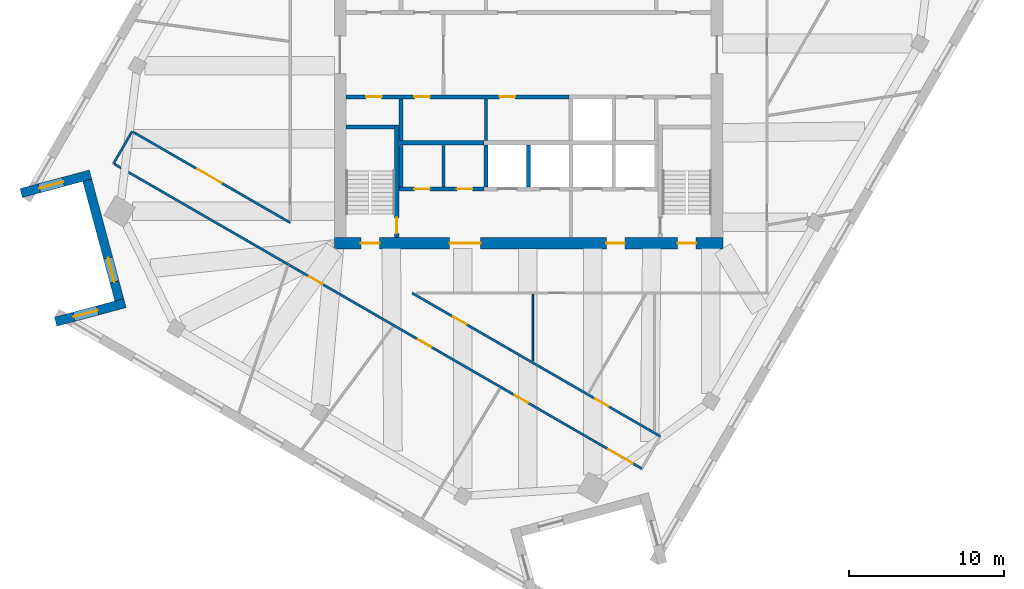
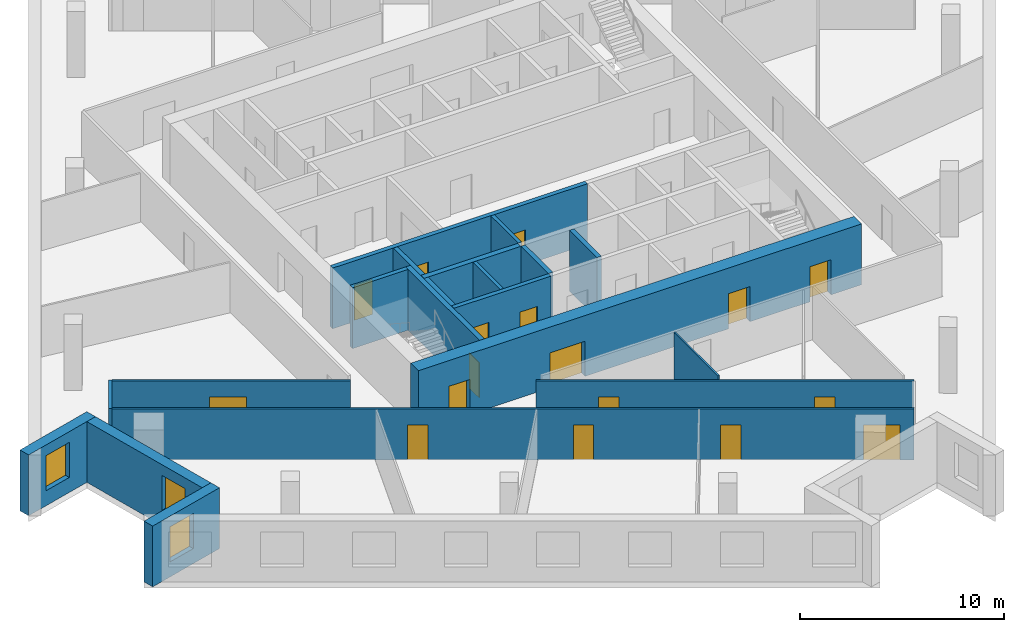
# One storey, part 6 of 13: 20 walls, 17 doors, 3 windows, 20 openings.
"""IFC4 building model written with IfcOpenShell, lengths in metres."""

from ifc_helpers import new_model, si_unit, direction, frame, frame_2d, origin, place, context, subcontext, project, spatial, rectangle, extrude, material, layer, layer_set, type_object, element, fill, save


model = new_model("IFC4")

# Units and contexts
model_context = context("Model", 3, precision=1e-05, world=origin(), true_north=direction((0.0, 1.0)))
body_context = subcontext(model_context, "Body", "Model", "MODEL_VIEW")
ifc_project = project(units=[si_unit("LENGTHUNIT", "METRE"), si_unit("AREAUNIT", "SQUARE_METRE"), si_unit("VOLUMEUNIT", "CUBIC_METRE"), si_unit("PLANEANGLEUNIT", "RADIAN"), si_unit("MASSUNIT", "GRAM", prefix="KILO")], contexts=[model_context])

# Site, building, storey
site_placement = place(None, origin())
site = spatial("IfcSite", under=ifc_project, at=site_placement, CompositionType="ELEMENT")
building_placement = place(site_placement, origin())
building = spatial("IfcBuilding", under=site, at=building_placement, Name="Dilmun Exchange Tower", CompositionType="ELEMENT")
storey_placement = place(building_placement, frame((0.0, 0.0, 266.89990234375)))
storey = spatial("IfcBuildingStorey", under=building, at=storey_placement, Name="L63", CompositionType="ELEMENT", Elevation=266.89990234375)

# Walls
ifc_material_1 = material(Name="Concrete C40/50", Category="concrete")
ifc_layer_1 = layer(ifc_material_1, 0.199951171875)
ifc_layer_set_1 = layer_set([ifc_layer_1], Name="Concrete C40/50")
wall_type_1 = type_object("IfcWallType", Name="Core partition wall 200", PredefinedType="PARTITIONING", material=ifc_layer_set_1)
for number, where, z_axis, x_axis, name in (
    (1, (-5.5, -8.544921875, 0.0), (0.0, 0.0, 1.0), (0.0, 1.0, 0.0), "L63 core partition wall 04"),
    (2, (-2.75, -5.544921875, 0.0), (0.0, 0.0, 1.0), (0.0, 1.0, 0.0), "L63 core partition wall 07"),
):
    element("IfcWall", number, at=place(storey_placement, frame(where, z_axis=z_axis, x_axis=x_axis)), inside=storey, type_object=wall_type_1, Name=name, PredefinedType="PARTITIONING", context=body_context, shape_type="SweptSolid", body=[
        extrude(rectangle(XDim=2.68994140625, YDim=0.199951171875, at=frame_2d((1.344970703125, 0.0))), origin(), (0.0, 0.0, 1.0), 3.64013671875),
    ])

# Wall, openings, doors
ifc_layer_2 = layer(ifc_material_1, 0.25)
ifc_layer_set_2 = layer_set([ifc_layer_2], Name="Concrete C40/50")
wall_type_2 = type_object("IfcWallType", Name="Core partition wall 250", PredefinedType="PARTITIONING", material=ifc_layer_set_2)
wall_1_placement = place(storey_placement, frame((-8.3701171875, -8.675048828125, 0.0), z_axis=(0.0, 0.0, 1.0), x_axis=(1.0, 0.0, 0.0)))
wall_1 = element("IfcWall", 3, at=wall_1_placement, inside=storey, type_object=wall_type_2, Name="L63 core partition wall 02", PredefinedType="PARTITIONING", context=body_context, shape_type="SweptSolid", body=[
    extrude(rectangle(XDim=5.490234375, YDim=0.25, at=frame_2d((2.7451171875, 0.0))), origin(), (0.0, 0.0, 1.0), 3.64013671875),
])
opening_1_placement = place(wall_1_placement, frame((0.9951171875, 0.0, 0.0)))
opening_1 = element("IfcOpeningElement", 4, at=opening_1_placement, cuts=wall_1, Name="Opening CD4", PredefinedType="OPENING", context=body_context, shape_type="SweptSolid", body=[
    extrude(rectangle(XDim=1.0, YDim=2.10009765625, at=frame_2d((0.5, 1.050048828125))), frame((0.0, 0.135009765625, 0.0), z_axis=(0.0, -1.0, 0.0), x_axis=(1.0, 0.0, 0.0)), (0.0, 0.0, 1.0), 0.27001953125),
])
opening_2_placement = place(wall_1_placement, frame((3.7451171875, 0.0, 0.0)))
opening_2 = element("IfcOpeningElement", 5, at=opening_2_placement, cuts=wall_1, Name="Opening CD4", PredefinedType="OPENING", context=body_context, shape_type="SweptSolid", body=[
    extrude(rectangle(XDim=1.0, YDim=2.10009765625, at=frame_2d((0.5, 1.050048828125))), frame((0.0, 0.135009765625, 0.0), z_axis=(0.0, -1.0, 0.0), x_axis=(1.0, 0.0, 0.0)), (0.0, 0.0, 1.0), 0.27001953125),
])
ifc_material_2 = material(Name="Fire-rated steel door set", Category="steel")
door_type_1 = type_object("IfcDoorType", Name="Core room door 1000x2100", OperationType="SINGLE_SWING_LEFT", PredefinedType="DOOR", material=ifc_material_2)
door_1_placement = place(opening_1_placement, origin())
door_1 = element("IfcDoor", 6, at=door_1_placement, inside=storey, type_object=door_type_1, Name="L63 door Male WC", OperationType="SINGLE_SWING_RIGHT", OverallHeight=2.10009765625, OverallWidth=1.0, PredefinedType="DOOR", context=body_context, shape_type="SweptSolid", body=[
    extrude(rectangle(XDim=1.0, YDim=2.10009765625, at=frame_2d((0.5, 1.050048828125))), frame((0.0, 0.02490234375, 0.0), z_axis=(0.0, -1.0, 0.0), x_axis=(1.0, 0.0, 0.0)), (0.0, 0.0, 1.0), 0.050048828125),
])
fill(opening_1, door_1)
door_2_placement = place(opening_2_placement, origin())
door_2 = element("IfcDoor", 7, at=door_2_placement, inside=storey, type_object=door_type_1, Name="L63 door Female WC", OperationType="SINGLE_SWING_RIGHT", OverallHeight=2.10009765625, OverallWidth=1.0, PredefinedType="DOOR", context=body_context, shape_type="SweptSolid", body=[
    extrude(rectangle(XDim=1.0, YDim=2.10009765625, at=frame_2d((0.5, 1.050048828125))), frame((0.0, 0.02490234375, 0.0), z_axis=(0.0, -1.0, 0.0), x_axis=(1.0, 0.0, 0.0)), (0.0, 0.0, 1.0), 0.050048828125),
])
fill(opening_2, door_2)

# Walls
for number, where, z_axis, x_axis, name in (
    (8, (-8.25, -8.544921875, 0.0), (0.0, 0.0, 1.0), (0.0, 1.0, 0.0), "L63 core partition wall 03"),
    (9, (-8.25, -5.544921875, 0.0), (0.0, 0.0, 1.0), (0.0, 1.0, 0.0), "L63 core partition wall 06"),
):
    element("IfcWall", number, at=place(storey_placement, frame(where, z_axis=z_axis, x_axis=x_axis)), inside=storey, type_object=wall_type_2, Name=name, PredefinedType="PARTITIONING", context=body_context, shape_type="SweptSolid", body=[
        extrude(rectangle(XDim=2.68994140625, YDim=0.25, at=frame_2d((1.344970703125, 0.0))), origin(), (0.0, 0.0, 1.0), 3.64013671875),
    ])

# Wall, openings, doors
wall_2_placement = place(storey_placement, frame((-11.794921875, -2.72509765625, 0.0), z_axis=(0.0, 0.0, 1.0), x_axis=(1.0, 0.0, 0.0)))
wall_2 = element("IfcWall", 10, at=wall_2_placement, inside=storey, type_object=wall_type_2, Name="L63 core partition wall 09", PredefinedType="PARTITIONING", context=body_context, shape_type="SweptSolid", body=[
    extrude(rectangle(XDim=14.4150390625, YDim=0.25, at=frame_2d((7.20751953125, 0.0))), origin(), (0.0, 0.0, 1.0), 3.64013671875),
])
opening_3_placement = place(wall_2_placement, frame((1.294921875, 0.0, 0.0)))
opening_3 = element("IfcOpeningElement", 11, at=opening_3_placement, cuts=wall_2, Name="Opening CD4", PredefinedType="OPENING", context=body_context, shape_type="SweptSolid", body=[
    extrude(rectangle(XDim=1.0, YDim=2.10009765625, at=frame_2d((0.5, 1.050048828125))), frame((0.0, 0.135009765625, 0.0), z_axis=(0.0, -1.0, 0.0), x_axis=(1.0, 0.0, 0.0)), (0.0, 0.0, 1.0), 0.27001953125),
])
opening_4_placement = place(wall_2_placement, frame((4.419921875, 0.0, 0.0)))
opening_4 = element("IfcOpeningElement", 12, at=opening_4_placement, cuts=wall_2, Name="Opening CD4", PredefinedType="OPENING", context=body_context, shape_type="SweptSolid", body=[
    extrude(rectangle(XDim=1.0, YDim=2.10009765625, at=frame_2d((0.5, 1.050048828125))), frame((0.0, 0.135009765625, 0.0), z_axis=(0.0, -1.0, 0.0), x_axis=(1.0, 0.0, 0.0)), (0.0, 0.0, 1.0), 0.27001953125),
])
opening_5_placement = place(wall_2_placement, frame((9.919921875, 0.0, 0.0)))
opening_5 = element("IfcOpeningElement", 13, at=opening_5_placement, cuts=wall_2, Name="Opening CD4", PredefinedType="OPENING", context=body_context, shape_type="SweptSolid", body=[
    extrude(rectangle(XDim=1.0, YDim=2.10009765625, at=frame_2d((0.5, 1.050048828125))), frame((0.0, 0.135009765625, 0.0), z_axis=(0.0, -1.0, 0.0), x_axis=(1.0, 0.0, 0.0)), (0.0, 0.0, 1.0), 0.27001953125),
])
door_3_placement = place(opening_3_placement, origin())
door_3 = element("IfcDoor", 14, at=door_3_placement, inside=storey, type_object=door_type_1, Name="L63 door Accessible WC", OperationType="SINGLE_SWING_RIGHT", OverallHeight=2.10009765625, OverallWidth=1.0, PredefinedType="DOOR", context=body_context, shape_type="SweptSolid", body=[
    extrude(rectangle(XDim=1.0, YDim=2.10009765625, at=frame_2d((0.5, 1.050048828125))), frame((0.0, 0.02490234375, 0.0), z_axis=(0.0, -1.0, 0.0), x_axis=(1.0, 0.0, 0.0)), (0.0, 0.0, 1.0), 0.050048828125),
])
fill(opening_3, door_3)
door_4_placement = place(opening_4_placement, origin())
door_4 = element("IfcDoor", 15, at=door_4_placement, inside=storey, type_object=door_type_1, Name="L63 door Tenant services room", OperationType="SINGLE_SWING_RIGHT", OverallHeight=2.10009765625, OverallWidth=1.0, PredefinedType="DOOR", context=body_context, shape_type="SweptSolid", body=[
    extrude(rectangle(XDim=1.0, YDim=2.10009765625, at=frame_2d((0.5, 1.050048828125))), frame((0.0, 0.02490234375, 0.0), z_axis=(0.0, -1.0, 0.0), x_axis=(1.0, 0.0, 0.0)), (0.0, 0.0, 1.0), 0.050048828125),
])
fill(opening_4, door_4)
door_5_placement = place(opening_5_placement, origin())
door_5 = element("IfcDoor", 16, at=door_5_placement, inside=storey, type_object=door_type_1, Name="L63 door Archive store", OperationType="SINGLE_SWING_RIGHT", OverallHeight=2.10009765625, OverallWidth=1.0, PredefinedType="DOOR", context=body_context, shape_type="SweptSolid", body=[
    extrude(rectangle(XDim=1.0, YDim=2.10009765625, at=frame_2d((0.5, 1.050048828125))), frame((0.0, 0.02490234375, 0.0), z_axis=(0.0, -1.0, 0.0), x_axis=(1.0, 0.0, 0.0)), (0.0, 0.0, 1.0), 0.050048828125),
])
fill(opening_5, door_5)

# Wall
ifc_layer_3 = layer(ifc_material_1, 0.300048828125)
ifc_layer_set_3 = layer_set([ifc_layer_3], Name="Concrete C40/50")
wall_type_3 = type_object("IfcWallType", Name="Core partition wall 300", PredefinedType="PARTITIONING", material=ifc_layer_set_3)
wall_3_placement = place(storey_placement, frame((-8.35009765625, -5.699951171875, 0.0), z_axis=(0.0, 0.0, 1.0), x_axis=(1.0, 0.0, 0.0)))
element("IfcWall", 17, at=wall_3_placement, inside=storey, type_object=wall_type_3, Name="L63 core partition wall 05", PredefinedType="PARTITIONING", context=body_context, shape_type="SweptSolid", body=[
    extrude(rectangle(XDim=5.47021484375, YDim=0.300048828125, at=frame_2d((2.735107421875, 0.0))), origin(), (0.0, 0.0, 1.0), 3.64013671875),
])

# Wall, openings, doors
ifc_material_3 = material(Name="Concrete C50/60", Category="concrete")
ifc_layer_4 = layer(ifc_material_3, 0.75)
ifc_layer_set_4 = layer_set([ifc_layer_4], Name="Concrete C50/60")
wall_type_4 = type_object("IfcWallType", Name="Core shear wall 750 Concrete C50/60", PredefinedType="SHEAR", material=ifc_layer_set_4)
wall_4_placement = place(storey_placement, frame((-12.550048828125, -12.175048828125, 0.0), z_axis=(0.0, 0.0, 1.0), x_axis=(1.0, 0.0, 0.0)))
wall_4 = element("IfcWall", 18, at=wall_4_placement, inside=storey, type_object=wall_type_4, Name="L63 core shear wall S", PredefinedType="SHEAR", context=body_context, shape_type="SweptSolid", body=[
    extrude(rectangle(XDim=25.10009765625, YDim=0.75, at=frame_2d((12.550048828125, 0.0))), origin(), (0.0, 0.0, 1.0), 3.64013671875),
])
opening_6_placement = place(wall_4_placement, frame((7.449951171875, 0.0, 0.0)))
opening_6 = element("IfcOpeningElement", 19, at=opening_6_placement, cuts=wall_4, Name="Opening CD2", PredefinedType="OPENING", context=body_context, shape_type="SweptSolid", body=[
    extrude(rectangle(XDim=2.0, YDim=2.10009765625, at=frame_2d((1.0, 1.050048828125))), frame((0.0, 0.385009765625, 0.0), z_axis=(0.0, -1.0, 0.0), x_axis=(1.0, 0.0, 0.0)), (0.0, 0.0, 1.0), 0.77001953125),
])
opening_7_placement = place(wall_4_placement, frame((17.574951171875, 0.0, 0.0)))
opening_7 = element("IfcOpeningElement", 20, at=opening_7_placement, cuts=wall_4, Name="Opening CD3", PredefinedType="OPENING", context=body_context, shape_type="SweptSolid", body=[
    extrude(rectangle(XDim=1.199951171875, YDim=2.10009765625, at=frame_2d((0.60009765625, 1.050048828125))), frame((0.0, 0.385009765625, 0.0), z_axis=(0.0, -1.0, 0.0), x_axis=(1.0, 0.0, 0.0)), (0.0, 0.0, 1.0), 0.77001953125),
])
opening_8_placement = place(wall_4_placement, frame((1.72509765625, 0.0, 0.0)))
opening_8 = element("IfcOpeningElement", 21, at=opening_8_placement, cuts=wall_4, Name="Opening CD3", PredefinedType="OPENING", context=body_context, shape_type="SweptSolid", body=[
    extrude(rectangle(XDim=1.199951171875, YDim=2.10009765625, at=frame_2d((0.60009765625, 1.050048828125))), frame((0.0, 0.385009765625, 0.0), z_axis=(0.0, -1.0, 0.0), x_axis=(1.0, 0.0, 0.0)), (0.0, 0.0, 1.0), 0.77001953125),
])
opening_9_placement = place(wall_4_placement, frame((22.175048828125, 0.0, 0.0)))
opening_9 = element("IfcOpeningElement", 22, at=opening_9_placement, cuts=wall_4, Name="Opening CD3", PredefinedType="OPENING", context=body_context, shape_type="SweptSolid", body=[
    extrude(rectangle(XDim=1.199951171875, YDim=2.10009765625, at=frame_2d((0.60009765625, 1.050048828125))), frame((0.0, 0.385009765625, 0.0), z_axis=(0.0, -1.0, 0.0), x_axis=(1.0, 0.0, 0.0)), (0.0, 0.0, 1.0), 0.77001953125),
])
door_type_2 = type_object("IfcDoorType", Name="Core service door 2000x2100", OperationType="DOUBLE_DOOR_DOUBLE_SWING", PredefinedType="DOOR", material=ifc_material_2)
door_6_placement = place(opening_6_placement, origin())
door_6 = element("IfcDoor", 23, at=door_6_placement, inside=storey, type_object=door_type_2, Name="L63 door South service lobby", OperationType="SINGLE_SWING_LEFT", OverallHeight=2.10009765625, OverallWidth=2.0, PredefinedType="DOOR", context=body_context, shape_type="SweptSolid", body=[
    extrude(rectangle(XDim=2.0, YDim=2.10009765625, at=frame_2d((1.0, 1.050048828125))), frame((0.0, 0.02490234375, 0.0), z_axis=(0.0, -1.0, 0.0), x_axis=(1.0, 0.0, 0.0)), (0.0, 0.0, 1.0), 0.050048828125),
])
fill(opening_6, door_6)
door_type_3 = type_object("IfcDoorType", Name="Stair exit door 1200x2100", OperationType="SINGLE_SWING_LEFT", PredefinedType="DOOR", material=ifc_material_2)
door_7_placement = place(opening_7_placement, origin())
door_7 = element("IfcDoor", 24, at=door_7_placement, inside=storey, type_object=door_type_3, Name="L63 door Fire-fighting lobby", OperationType="SINGLE_SWING_LEFT", OverallHeight=2.10009765625, OverallWidth=1.199951171875, PredefinedType="DOOR", context=body_context, shape_type="SweptSolid", body=[
    extrude(rectangle(XDim=1.199951171875, YDim=2.10009765625, at=frame_2d((0.60009765625, 1.050048828125))), frame((0.0, 0.02490234375, 0.0), z_axis=(0.0, -1.0, 0.0), x_axis=(1.0, 0.0, 0.0)), (0.0, 0.0, 1.0), 0.050048828125),
])
fill(opening_7, door_7)
door_8_placement = place(opening_8_placement, origin())
door_8 = element("IfcDoor", 25, at=door_8_placement, inside=storey, type_object=door_type_3, Name="L63 door Stair ST2", OperationType="SINGLE_SWING_LEFT", OverallHeight=2.10009765625, OverallWidth=1.199951171875, PredefinedType="DOOR", context=body_context, shape_type="SweptSolid", body=[
    extrude(rectangle(XDim=1.199951171875, YDim=2.10009765625, at=frame_2d((0.60009765625, 1.050048828125))), frame((0.0, 0.02490234375, 0.0), z_axis=(0.0, -1.0, 0.0), x_axis=(1.0, 0.0, 0.0)), (0.0, 0.0, 1.0), 0.050048828125),
])
fill(opening_8, door_8)
door_9_placement = place(opening_9_placement, origin())
door_9 = element("IfcDoor", 26, at=door_9_placement, inside=storey, type_object=door_type_3, Name="L63 door Stair ST3", OperationType="SINGLE_SWING_LEFT", OverallHeight=2.10009765625, OverallWidth=1.199951171875, PredefinedType="DOOR", context=body_context, shape_type="SweptSolid", body=[
    extrude(rectangle(XDim=1.199951171875, YDim=2.10009765625, at=frame_2d((0.60009765625, 1.050048828125))), frame((0.0, 0.02490234375, 0.0), z_axis=(0.0, -1.0, 0.0), x_axis=(1.0, 0.0, 0.0)), (0.0, 0.0, 1.0), 0.050048828125),
])
fill(opening_9, door_9)

# Wall
ifc_material_4 = material(Name="Corridor wall 150")
ifc_layer_5 = layer(ifc_material_4, 0.14990234375)
ifc_layer_set_5 = layer_set([ifc_layer_5], Name="Corridor wall 150")
wall_type_5 = type_object("IfcWallType", Name="Corridor wall 150", PredefinedType="PARTITIONING", material=ifc_layer_set_5)
wall_5_placement = place(storey_placement, frame((-26.80908203125, -7.034912109375, 0.0), z_axis=(0.0, 0.0, 1.0), x_axis=(0.499989508258, 0.86603146111, 0.0)))
element("IfcWall", 27, at=wall_5_placement, inside=storey, type_object=wall_type_5, Name="Corridor wall", PredefinedType="PARTITIONING", context=body_context, shape_type="SweptSolid", body=[
    extrude(rectangle(XDim=2.400390625, YDim=0.14990234375, at=frame_2d((1.2001953125, 0.0))), origin(), (0.0, 0.0, 1.0), 3.0400390625),
])

# Wall, openings, doors
wall_6_placement = place(storey_placement, frame((-26.743896484375, -7.072509765625, 0.0), z_axis=(0.0, 0.0, 1.0), x_axis=(0.866020890374, -0.500007817374, 0.0)))
wall_6 = element("IfcWall", 28, at=wall_6_placement, inside=storey, type_object=wall_type_5, Name="Corridor wall", PredefinedType="PARTITIONING", context=body_context, shape_type="SweptSolid", body=[
    extrude(rectangle(XDim=39.324462890625, YDim=0.14990234375, at=frame_2d((19.662109375, 0.0))), origin(), (0.0, 0.0, 1.0), 3.0400390625),
])
opening_10_placement = place(wall_6_placement, frame((14.504638671875, 0.0, 0.0)))
opening_10 = element("IfcOpeningElement", 29, at=opening_10_placement, cuts=wall_6, Name="Opening TF62-D04", PredefinedType="OPENING", context=body_context, shape_type="SweptSolid", body=[
    extrude(rectangle(XDim=1.0, YDim=2.10009765625, at=frame_2d((0.5, 1.050048828125))), frame((0.0, 0.0849609375, 0.0), z_axis=(0.0, -1.0, 0.0), x_axis=(1.0, 0.0, 0.0)), (0.0, 0.0, 1.0), 0.169921875),
])
opening_11_placement = place(wall_6_placement, frame((22.63232421875, 0.0, 0.0)))
opening_11 = element("IfcOpeningElement", 30, at=opening_11_placement, cuts=wall_6, Name="Opening TF62-D05", PredefinedType="OPENING", context=body_context, shape_type="SweptSolid", body=[
    extrude(rectangle(XDim=1.0, YDim=2.10009765625, at=frame_2d((0.5, 1.050048828125))), frame((0.0, 0.0849609375, 0.0), z_axis=(0.0, -1.0, 0.0), x_axis=(1.0, 0.0, 0.0)), (0.0, 0.0, 1.0), 0.169921875),
])
opening_12_placement = place(wall_6_placement, frame((36.8515625, 0.0, 0.0)))
opening_12 = element("IfcOpeningElement", 31, at=opening_12_placement, cuts=wall_6, Name="Opening TF62-D14", PredefinedType="OPENING", context=body_context, shape_type="SweptSolid", body=[
    extrude(rectangle(XDim=1.800048828125, YDim=2.10009765625, at=frame_2d((0.89990234375, 1.050048828125))), frame((0.0, 0.0849609375, 0.0), z_axis=(0.0, -1.0, 0.0), x_axis=(1.0, 0.0, 0.0)), (0.0, 0.0, 1.0), 0.169921875),
])
opening_13_placement = place(wall_6_placement, frame((29.8515625, 0.0, 0.0)))
opening_13 = element("IfcOpeningElement", 32, at=opening_13_placement, cuts=wall_6, Name="Opening TF62-D15", PredefinedType="OPENING", context=body_context, shape_type="SweptSolid", body=[
    extrude(rectangle(XDim=1.0, YDim=2.10009765625, at=frame_2d((0.5, 1.050048828125))), frame((0.0, 0.0849609375, 0.0), z_axis=(0.0, -1.0, 0.0), x_axis=(1.0, 0.0, 0.0)), (0.0, 0.0, 1.0), 0.169921875),
])
ifc_material_5 = material(Name="Fire door 1000 x 2100")
door_type_4 = type_object("IfcDoorType", Name="Fire door 1000 x 2100", OperationType="NOTDEFINED", PredefinedType="DOOR", material=ifc_material_5)
door_10_placement = place(opening_10_placement, frame((1.0, 0.0, 0.0), z_axis=(0.0, 0.0, 1.0), x_axis=(-1.0, 0.0, 0.0)))
door_10 = element("IfcDoor", 33, at=door_10_placement, inside=storey, type_object=door_type_4, Name="Door TF62-D04", OperationType="SINGLE_SWING_LEFT", OverallHeight=2.10009765625, OverallWidth=1.0, PredefinedType="DOOR", context=body_context, shape_type="SweptSolid", body=[
    extrude(rectangle(XDim=1.0, YDim=2.10009765625, at=frame_2d((0.5, 1.050048828125))), frame((0.0, 0.02490234375, 0.0), z_axis=(0.0, -1.0, 0.0), x_axis=(1.0, 0.0, 0.0)), (0.0, 0.0, 1.0), 0.050048828125),
])
fill(opening_10, door_10)
door_11_placement = place(opening_11_placement, frame((1.0, 0.0, 0.0), z_axis=(0.0, 0.0, 1.0), x_axis=(-1.0, 0.0, 0.0)))
door_11 = element("IfcDoor", 34, at=door_11_placement, inside=storey, type_object=door_type_4, Name="Door TF62-D05", OperationType="SINGLE_SWING_RIGHT", OverallHeight=2.10009765625, OverallWidth=1.0, PredefinedType="DOOR", context=body_context, shape_type="SweptSolid", body=[
    extrude(rectangle(XDim=1.0, YDim=2.10009765625, at=frame_2d((0.5, 1.050048828125))), frame((0.0, 0.02490234375, 0.0), z_axis=(0.0, -1.0, 0.0), x_axis=(1.0, 0.0, 0.0)), (0.0, 0.0, 1.0), 0.050048828125),
])
fill(opening_11, door_11)
door_12_placement = place(opening_13_placement, frame((1.0, 0.0, 0.0), z_axis=(0.0, 0.0, 1.0), x_axis=(-1.0, 0.0, 0.0)))
door_12 = element("IfcDoor", 35, at=door_12_placement, inside=storey, type_object=door_type_4, Name="Door TF62-D15", OperationType="SINGLE_SWING_RIGHT", OverallHeight=2.10009765625, OverallWidth=1.0, PredefinedType="DOOR", context=body_context, shape_type="SweptSolid", body=[
    extrude(rectangle(XDim=1.0, YDim=2.10009765625, at=frame_2d((0.5, 1.050048828125))), frame((0.0, 0.02490234375, 0.0), z_axis=(0.0, -1.0, 0.0), x_axis=(1.0, 0.0, 0.0)), (0.0, 0.0, 1.0), 0.050048828125),
])
fill(opening_13, door_12)
ifc_material_6 = material(Name="Fire door pair 1800 x 2100")
door_type_5 = type_object("IfcDoorType", Name="Fire door pair 1800 x 2100", OperationType="NOTDEFINED", PredefinedType="DOOR", material=ifc_material_6)
door_13_placement = place(opening_12_placement, frame((1.800048828125, 0.0, 0.0), z_axis=(0.0, 0.0, 1.0), x_axis=(-1.0, 0.0, 0.0)))
door_13 = element("IfcDoor", 36, at=door_13_placement, inside=storey, type_object=door_type_5, Name="Door TF62-D14", OperationType="DOUBLE_DOOR_SINGLE_SWING", OverallHeight=2.10009765625, OverallWidth=1.800048828125, PredefinedType="DOOR", context=body_context, shape_type="SweptSolid", body=[
    extrude(rectangle(XDim=1.800048828125, YDim=2.10009765625, at=frame_2d((0.89990234375, 1.050048828125))), frame((0.0, 0.02490234375, 0.0), z_axis=(0.0, -1.0, 0.0), x_axis=(1.0, 0.0, 0.0)), (0.0, 0.0, 1.0), 0.050048828125),
])
fill(opening_12, door_13)

# Wall, opening, door
wall_7_placement = place(storey_placement, frame((-25.5439453125, -4.993408203125, 0.0), z_axis=(0.0, 0.0, 1.0), x_axis=(0.865988432642, -0.50006403043, 0.0)))
wall_7 = element("IfcWall", 37, at=wall_7_placement, inside=storey, type_object=wall_type_5, Name="Corridor wall", PredefinedType="PARTITIONING", context=body_context, shape_type="SweptSolid", body=[
    extrude(rectangle(XDim=11.7138671875, YDim=0.14990234375, at=frame_2d((5.85693359375, 0.0))), origin(), (0.0, 0.0, 1.0), 3.0400390625),
])
opening_14_placement = place(wall_7_placement, frame((4.800048828125, 0.0, 0.0)))
opening_14 = element("IfcOpeningElement", 38, at=opening_14_placement, cuts=wall_7, Name="Opening TF62-D01", PredefinedType="OPENING", context=body_context, shape_type="SweptSolid", body=[
    extrude(rectangle(XDim=1.800048828125, YDim=2.10009765625, at=frame_2d((0.89990234375, 1.050048828125))), frame((0.0, 0.0849609375, 0.0), z_axis=(0.0, -1.0, 0.0), x_axis=(1.0, 0.0, 0.0)), (0.0, 0.0, 1.0), 0.169921875),
])
door_14_placement = place(opening_14_placement, origin())
door_14 = element("IfcDoor", 39, at=door_14_placement, inside=storey, type_object=door_type_5, Name="Door TF62-D01", OperationType="DOUBLE_DOOR_SINGLE_SWING", OverallHeight=2.10009765625, OverallWidth=1.800048828125, PredefinedType="DOOR", context=body_context, shape_type="SweptSolid", body=[
    extrude(rectangle(XDim=1.800048828125, YDim=2.10009765625, at=frame_2d((0.89990234375, 1.050048828125))), frame((0.0, 0.02490234375, 0.0), z_axis=(0.0, -1.0, 0.0), x_axis=(1.0, 0.0, 0.0)), (0.0, 0.0, 1.0), 0.050048828125),
])
fill(opening_14, door_14)

# Wall, openings, doors
wall_8_placement = place(storey_placement, frame((-7.52001953125, -15.39990234375, 0.0), z_axis=(0.0, 0.0, 1.0), x_axis=(0.86602460502, -0.500001383498, 0.0)))
wall_8 = element("IfcWall", 40, at=wall_8_placement, inside=storey, type_object=wall_type_5, Name="Corridor wall", PredefinedType="PARTITIONING", context=body_context, shape_type="SweptSolid", body=[
    extrude(rectangle(XDim=18.51220703125, YDim=0.14990234375, at=frame_2d((9.256103515625, 0.0))), origin(), (0.0, 0.0, 1.0), 3.0400390625),
])
opening_15_placement = place(wall_8_placement, frame((3.050048828125, 0.0, 0.0)))
opening_15 = element("IfcOpeningElement", 41, at=opening_15_placement, cuts=wall_8, Name="Opening TF62-D09", PredefinedType="OPENING", context=body_context, shape_type="SweptSolid", body=[
    extrude(rectangle(XDim=1.0, YDim=2.10009765625, at=frame_2d((0.5, 1.050048828125))), frame((0.0, 0.0849609375, 0.0), z_axis=(0.0, -1.0, 0.0), x_axis=(1.0, 0.0, 0.0)), (0.0, 0.0, 1.0), 0.169921875),
])
opening_16_placement = place(wall_8_placement, frame((13.650146484375, 0.0, 0.0)))
opening_16 = element("IfcOpeningElement", 42, at=opening_16_placement, cuts=wall_8, Name="Opening TF62-D12", PredefinedType="OPENING", context=body_context, shape_type="SweptSolid", body=[
    extrude(rectangle(XDim=1.0, YDim=2.10009765625, at=frame_2d((0.5, 1.050048828125))), frame((0.0, 0.0849609375, 0.0), z_axis=(0.0, -1.0, 0.0), x_axis=(1.0, 0.0, 0.0)), (0.0, 0.0, 1.0), 0.169921875),
])
door_15_placement = place(opening_15_placement, origin())
door_15 = element("IfcDoor", 43, at=door_15_placement, inside=storey, type_object=door_type_4, Name="Door TF62-D09", OperationType="SINGLE_SWING_LEFT", OverallHeight=2.10009765625, OverallWidth=1.0, PredefinedType="DOOR", context=body_context, shape_type="SweptSolid", body=[
    extrude(rectangle(XDim=1.0, YDim=2.10009765625, at=frame_2d((0.5, 1.050048828125))), frame((0.0, 0.02490234375, 0.0), z_axis=(0.0, -1.0, 0.0), x_axis=(1.0, 0.0, 0.0)), (0.0, 0.0, 1.0), 0.050048828125),
])
fill(opening_15, door_15)
door_16_placement = place(opening_16_placement, origin())
door_16 = element("IfcDoor", 44, at=door_16_placement, inside=storey, type_object=door_type_4, Name="Door TF62-D12", OperationType="SINGLE_SWING_RIGHT", OverallHeight=2.10009765625, OverallWidth=1.0, PredefinedType="DOOR", context=body_context, shape_type="SweptSolid", body=[
    extrude(rectangle(XDim=1.0, YDim=2.10009765625, at=frame_2d((0.5, 1.050048828125))), frame((0.0, 0.02490234375, 0.0), z_axis=(0.0, -1.0, 0.0), x_axis=(1.0, 0.0, 0.0)), (0.0, 0.0, 1.0), 0.050048828125),
])
fill(opening_16, door_16)

# Walls
ifc_layer_6 = layer(ifc_material_1, 0.25)
ifc_layer_set_6 = layer_set([ifc_layer_6], Name="Concrete C40/50")
wall_type_6 = type_object("IfcWallType", Name="Lift shaft wall 250", PredefinedType="SOLIDWALL", material=ifc_layer_set_6)
for number, where, z_axis, x_axis, name in (
    (45, (-2.75, -8.550048828125, 0.0), (0.0, 0.0, 1.0), (0.0, 1.0, 0.0), "L63 lift shaft divider S22"),
    (46, (0.0, -8.550048828125, 0.0), (0.0, 0.0, 1.0), (0.0, 1.0, 0.0), "L63 lift shaft divider S23"),
):
    element("IfcWall", number, at=place(storey_placement, frame(where, z_axis=z_axis, x_axis=x_axis)), inside=storey, type_object=wall_type_6, Name=name, PredefinedType="SOLIDWALL", context=body_context, shape_type="SweptSolid", body=[
        extrude(rectangle(XDim=2.699951171875, YDim=0.25, at=frame_2d((1.35009765625, 0.0))), origin(), (0.0, 0.0, 1.0), 3.64013671875),
    ])
ifc_material_7 = material(Name="Partition 100")
ifc_layer_7 = layer(ifc_material_7, 0.10009765625)
ifc_layer_set_7 = layer_set([ifc_layer_7], Name="Partition 100")
wall_type_7 = type_object("IfcWallType", Name="Partition 100", PredefinedType="PARTITIONING", material=ifc_layer_set_7)
wall_9_placement = place(storey_placement, frame((0.278076171875, -19.78662109375, 0.0), z_axis=(0.0, 0.0, 1.0), x_axis=(0.0, 1.0, 0.0)))
element("IfcWall", 47, at=wall_9_placement, inside=storey, type_object=wall_type_7, Name="Partition", PredefinedType="PARTITIONING", context=body_context, shape_type="SweptSolid", body=[
    extrude(rectangle(XDim=4.3115234375, YDim=0.10009765625, at=frame_2d((2.15576171875, 0.0))), origin(), (0.0, 0.0, 1.0), 3.239990234375),
])

# Wall, opening, window
ifc_material_8 = material(Name="Precast concrete C50/60", Category="concrete")
ifc_layer_8 = layer(ifc_material_8, 0.60009765625)
ifc_layer_set_8 = layer_set([ifc_layer_8], Name="Precast concrete C50/60")
wall_type_8 = type_object("IfcWallType", Name="Precast stone-clad wall 600", PredefinedType="STANDARD", material=ifc_layer_set_8)
wall_10_placement = place(storey_placement, frame((-32.77392578125, -8.94189453125, 0.0), z_axis=(0.0, 0.0, 1.0), x_axis=(0.965928304125, 0.258809797517, 0.0)))
wall_10 = element("IfcWall", 48, at=wall_10_placement, inside=storey, type_object=wall_type_8, Name="Facade wall L63-04", PredefinedType="STANDARD", context=body_context, shape_type="SweptSolid", body=[
    extrude(rectangle(XDim=4.635498046875, YDim=0.60009765625, at=frame_2d((2.31787109375, 0.0))), origin(), (0.0, 0.0, 1.0), 3.64013671875),
])
opening_17_placement = place(wall_10_placement, frame((1.2177734375, 0.0, 0.89990234375)))
opening_17 = element("IfcOpeningElement", 49, at=opening_17_placement, cuts=wall_10, Name="Opening W160-210", PredefinedType="OPENING", context=body_context, shape_type="SweptSolid", body=[
    extrude(rectangle(XDim=1.60009765625, YDim=2.10009765625, at=frame_2d((0.800048828125, 1.050048828125))), frame((0.0, 0.31005859375, 0.0), z_axis=(0.0, -1.0, 0.0), x_axis=(1.0, 0.0, 0.0)), (0.0, 0.0, 1.0), 0.6201171875),
])
ifc_material_9 = material(Name="Clear low-emissivity glass in aluminium frame", Category="aluminium")
window_type = type_object("IfcWindowType", Name="Punched window 1600 x 2100", PartitioningType="DOUBLE_PANEL_VERTICAL", PredefinedType="WINDOW", material=ifc_material_9)
window_1_placement = place(opening_17_placement, origin())
window_1 = element("IfcWindow", 50, at=window_1_placement, inside=storey, type_object=window_type, Name="Window 5.1", OverallHeight=2.10009765625, OverallWidth=1.60009765625, PartitioningType="SINGLE_PANEL", PredefinedType="WINDOW", context=body_context, shape_type="SweptSolid", body=[
    extrude(rectangle(XDim=1.60009765625, YDim=2.10009765625, at=frame_2d((0.800048828125, 1.050048828125))), frame((0.0, 0.030029296875, 0.0), z_axis=(0.0, -1.0, 0.0), x_axis=(1.0, 0.0, 0.0)), (0.0, 0.0, 1.0), 0.06005859375),
])
fill(opening_17, window_1)

wall_11_placement = place(storey_placement, frame((-28.508544921875, -8.109619140625, 0.0), z_axis=(0.0, 0.0, 1.0), x_axis=(0.258815405168, -0.965926801599, 0.0)))
wall_11 = element("IfcWall", 51, at=wall_11_placement, inside=storey, type_object=wall_type_8, Name="Facade wall L63-05", PredefinedType="STANDARD", context=body_context, shape_type="SweptSolid", body=[
    extrude(rectangle(XDim=8.000244140625, YDim=0.60009765625, at=frame_2d((4.0, 0.0))), origin(), (0.0, 0.0, 1.0), 3.64013671875),
])
opening_18_placement = place(wall_11_placement, frame((5.199951171875, 0.0, 0.89990234375)))
opening_18 = element("IfcOpeningElement", 52, at=opening_18_placement, cuts=wall_11, Name="Opening W160-210", PredefinedType="OPENING", context=body_context, shape_type="SweptSolid", body=[
    extrude(rectangle(XDim=1.60009765625, YDim=2.10009765625, at=frame_2d((0.800048828125, 1.050048828125))), frame((0.0, 0.31005859375, 0.0), z_axis=(0.0, -1.0, 0.0), x_axis=(1.0, 0.0, 0.0)), (0.0, 0.0, 1.0), 0.6201171875),
])
window_2_placement = place(opening_18_placement, origin())
window_2 = element("IfcWindow", 53, at=window_2_placement, inside=storey, type_object=window_type, Name="Window 6.2", OverallHeight=2.10009765625, OverallWidth=1.60009765625, PartitioningType="SINGLE_PANEL", PredefinedType="WINDOW", context=body_context, shape_type="SweptSolid", body=[
    extrude(rectangle(XDim=1.60009765625, YDim=2.10009765625, at=frame_2d((0.800048828125, 1.050048828125))), frame((0.0, 0.030029296875, 0.0), z_axis=(0.0, -1.0, 0.0), x_axis=(1.0, 0.0, 0.0)), (0.0, 0.0, 1.0), 0.06005859375),
])
fill(opening_18, window_2)

wall_12_placement = place(storey_placement, frame((-26.070556640625, -16.04931640625, 0.0), z_axis=(0.0, 0.0, 1.0), x_axis=(-0.965928304125, -0.258809797517, 0.0)))
wall_12 = element("IfcWall", 54, at=wall_12_placement, inside=storey, type_object=wall_type_8, Name="Facade wall L63-06", PredefinedType="STANDARD", context=body_context, shape_type="SweptSolid", body=[
    extrude(rectangle(XDim=4.635498046875, YDim=0.60009765625, at=frame_2d((2.31787109375, 0.0))), origin(), (0.0, 0.0, 1.0), 3.64013671875),
])
opening_19_placement = place(wall_12_placement, frame((1.81787109375, 0.0, 0.89990234375)))
opening_19 = element("IfcOpeningElement", 55, at=opening_19_placement, cuts=wall_12, Name="Opening W160-210", PredefinedType="OPENING", context=body_context, shape_type="SweptSolid", body=[
    extrude(rectangle(XDim=1.60009765625, YDim=2.10009765625, at=frame_2d((0.800048828125, 1.050048828125))), frame((0.0, 0.31005859375, 0.0), z_axis=(0.0, -1.0, 0.0), x_axis=(1.0, 0.0, 0.0)), (0.0, 0.0, 1.0), 0.6201171875),
])
window_3_placement = place(opening_19_placement, origin())
window_3 = element("IfcWindow", 56, at=window_3_placement, inside=storey, type_object=window_type, Name="Window 7.1", OverallHeight=2.10009765625, OverallWidth=1.60009765625, PartitioningType="SINGLE_PANEL", PredefinedType="WINDOW", context=body_context, shape_type="SweptSolid", body=[
    extrude(rectangle(XDim=1.60009765625, YDim=2.10009765625, at=frame_2d((0.800048828125, 1.050048828125))), frame((0.0, 0.030029296875, 0.0), z_axis=(0.0, -1.0, 0.0), x_axis=(1.0, 0.0, 0.0)), (0.0, 0.0, 1.0), 0.06005859375),
])
fill(opening_19, window_3)

# Wall
ifc_layer_9 = layer(ifc_material_1, 0.25)
ifc_layer_set_9 = layer_set([ifc_layer_9], Name="Concrete C40/50")
wall_type_9 = type_object("IfcWallType", Name="Stair end wall 250", PredefinedType="SOLIDWALL", material=ifc_layer_set_9)
wall_13_placement = place(storey_placement, frame((-8.64990234375, -4.675048828125, 0.0), z_axis=(0.0, 0.0, 1.0), x_axis=(-1.0, 0.0, 0.0)))
element("IfcWall", 57, at=wall_13_placement, inside=storey, type_object=wall_type_9, Name="L63 ST2 far wall", PredefinedType="SOLIDWALL", context=body_context, shape_type="SweptSolid", body=[
    extrude(rectangle(XDim=3.150146484375, YDim=0.25, at=frame_2d((1.5751953125, 0.0))), origin(), (0.0, 0.0, 1.0), 3.64013671875),
])

# Wall, opening, door
ifc_layer_10 = layer(ifc_material_1, 0.27490234375)
ifc_layer_set_10 = layer_set([ifc_layer_10], Name="Concrete C40/50")
wall_type_10 = type_object("IfcWallType", Name="Stair wall 275", PredefinedType="SOLIDWALL", material=ifc_layer_set_10)
wall_14_placement = place(storey_placement, frame((-8.512451171875, -4.550048828125, 0.0), z_axis=(0.0, 0.0, 1.0), x_axis=(0.0, -1.0, 0.0)))
wall_14 = element("IfcWall", 58, at=wall_14_placement, inside=storey, type_object=wall_type_10, Name="L63 ST2 wall to lift block", PredefinedType="SOLIDWALL", context=body_context, shape_type="SweptSolid", body=[
    extrude(rectangle(XDim=7.25, YDim=0.27490234375, at=frame_2d((3.625, 0.0))), origin(), (0.0, 0.0, 1.0), 3.64013671875),
])
opening_20_placement = place(wall_14_placement, frame((6.0, 0.0, 0.0)))
opening_20 = element("IfcOpeningElement", 59, at=opening_20_placement, cuts=wall_14, Name="Opening CD4", PredefinedType="OPENING", context=body_context, shape_type="SweptSolid", body=[
    extrude(rectangle(XDim=1.0, YDim=2.10009765625, at=frame_2d((0.5, 1.050048828125))), frame((0.0, 0.1474609375, 0.0), z_axis=(0.0, -1.0, 0.0), x_axis=(1.0, 0.0, 0.0)), (0.0, 0.0, 1.0), 0.294921875),
])
door_17_placement = place(opening_20_placement, origin())
door_17 = element("IfcDoor", 60, at=door_17_placement, inside=storey, type_object=door_type_1, Name="L63 door ST2 from lobby", OperationType="SINGLE_SWING_LEFT", OverallHeight=2.10009765625, OverallWidth=1.0, PredefinedType="DOOR", context=body_context, shape_type="SweptSolid", body=[
    extrude(rectangle(XDim=1.0, YDim=2.10009765625, at=frame_2d((0.5, 1.050048828125))), frame((0.0, 0.02490234375, 0.0), z_axis=(0.0, -1.0, 0.0), x_axis=(1.0, 0.0, 0.0)), (0.0, 0.0, 1.0), 0.050048828125),
])
fill(opening_20, door_17)

save(model, "model.ifc")
